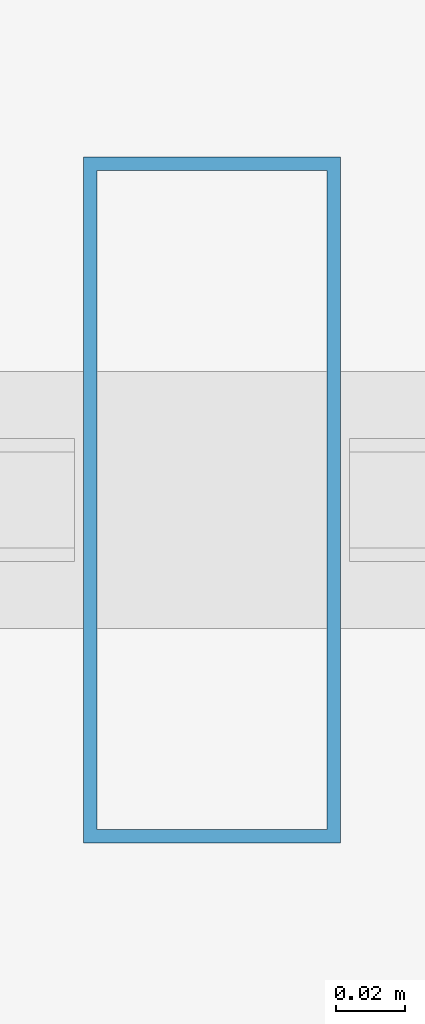
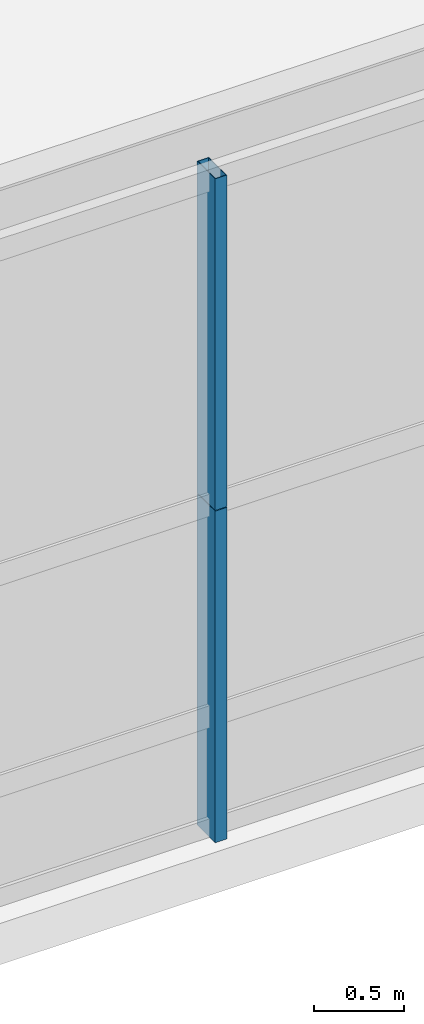
# One storey, part 13 of 38: 2 members, 1 element without a shape of its own.
"""IFC4 building model written with IfcOpenShell, lengths in metres."""

from ifc_helpers import new_model, si_unit, direction, frame, origin, origin_2d, place, context, subcontext, project, spatial, hollow_rectangle, extrude, source, transform, mapped, material, layer, layer_set, material_profile, profile_set, type_object, element, aggregate, save


model = new_model("IFC4")

# Units and contexts
model_context = context("Model", 3, precision=1e-05, world=origin(), true_north=direction((0.0, 1.0)))
body_context = subcontext(model_context, "Body", "Model", "MODEL_VIEW")
ifc_project = project(units=[si_unit("LENGTHUNIT", "METRE"), si_unit("AREAUNIT", "SQUARE_METRE"), si_unit("VOLUMEUNIT", "CUBIC_METRE"), si_unit("PLANEANGLEUNIT", "RADIAN"), si_unit("MASSUNIT", "GRAM", prefix="KILO"), si_unit("THERMODYNAMICTEMPERATUREUNIT", "KELVIN"), si_unit("POWERUNIT", "WATT")], contexts=[model_context])

# Site, building, storey
site_placement = place(None, origin())
site = spatial("IfcSite", under=ifc_project, at=site_placement, CompositionType="ELEMENT")
building_placement = place(site_placement, origin())
building = spatial("IfcBuilding", under=site, at=building_placement, Name="Yuzanri Waterfront Tower", CompositionType="ELEMENT")
storey_placement = place(building_placement, frame((0.0, 0.0, 10.199951171875)))
storey = spatial("IfcBuildingStorey", under=building, at=storey_placement, Name="L03", CompositionType="ELEMENT", Elevation=10.199951171875)

# Curtain wall, members
ifc_material_1 = material(Name="Anodized Architectural Bronze", Category="metal")
ifc_layer = layer(ifc_material_1, 0.159912109375)
ifc_layer_set = layer_set([ifc_layer], Name="Anodized Architectural Bronze")
curtain_wall_type = type_object("IfcCurtainWallType", Name="Anodized Bronze Podium Waterfront Double-Height Unitized Curtain Wall 8400", PredefinedType="NOTDEFINED", material=ifc_layer_set)
curtain_wall_placement = place(storey_placement, origin())
curtain_wall = element("IfcCurtainWall", 1, at=curtain_wall_placement, inside=storey, type_object=curtain_wall_type, Name="L03 Curtain Wall CW-L03-S2", PredefinedType="NOTDEFINED")
ifc_material_2 = material(Name="Anodized Architectural Bronze", Category="metal")
ifc_material_profile = material_profile(ifc_material_2, hollow_rectangle(XDim=0.074951171875, YDim=0.199951171875, WallThickness=0.00390625, at=origin_2d()), Name="CWM 75x200")
ifc_profile_set = profile_set([ifc_material_profile], Name="Anodized Architectural Bronze")
member_type = type_object("IfcMemberType", Name="Anodized Bronze Primary Curtain-Wall Mullion 75x200", PredefinedType="MULLION", material=ifc_profile_set)
shared_shape = source(origin(), body_context, "Body", "SweptSolid", [
    extrude(hollow_rectangle(XDim=0.074951171875, YDim=0.199951171875, WallThickness=0.00390625, at=origin_2d()), origin(), (0.0, 0.0, 1.0), 2.258056640625),
])
member_1_placement = place(storey_placement, frame((47.75, 1.97998046875, 0.0), z_axis=(0.0, 0.0, 1.0), x_axis=(1.0, 0.0, 0.0)))
member_1 = element("IfcMember", 2, at=member_1_placement, type_object=member_type, Name="CW-L03-S2 Lower Mullion 01", PredefinedType="MULLION", context=body_context, shape_type="MappedRepresentation", body=[
    mapped(shared_shape, transform((0.0, 0.0, 0.0), scale=1.0)),
])
member_2_placement = place(storey_placement, frame((47.75, 1.97998046875, 2.261962890625), z_axis=(0.0, 0.0, 1.0), x_axis=(1.0, 0.0, 0.0)))
member_2 = element("IfcMember", 3, at=member_2_placement, type_object=member_type, Name="CW-L03-S2 Upper Mullion 01", PredefinedType="MULLION", context=body_context, shape_type="MappedRepresentation", body=[
    mapped(shared_shape, transform((0.0, 0.0, 0.0), scale=1.0)),
])
aggregate(curtain_wall, [member_1, member_2])

save(model, "model.ifc")
